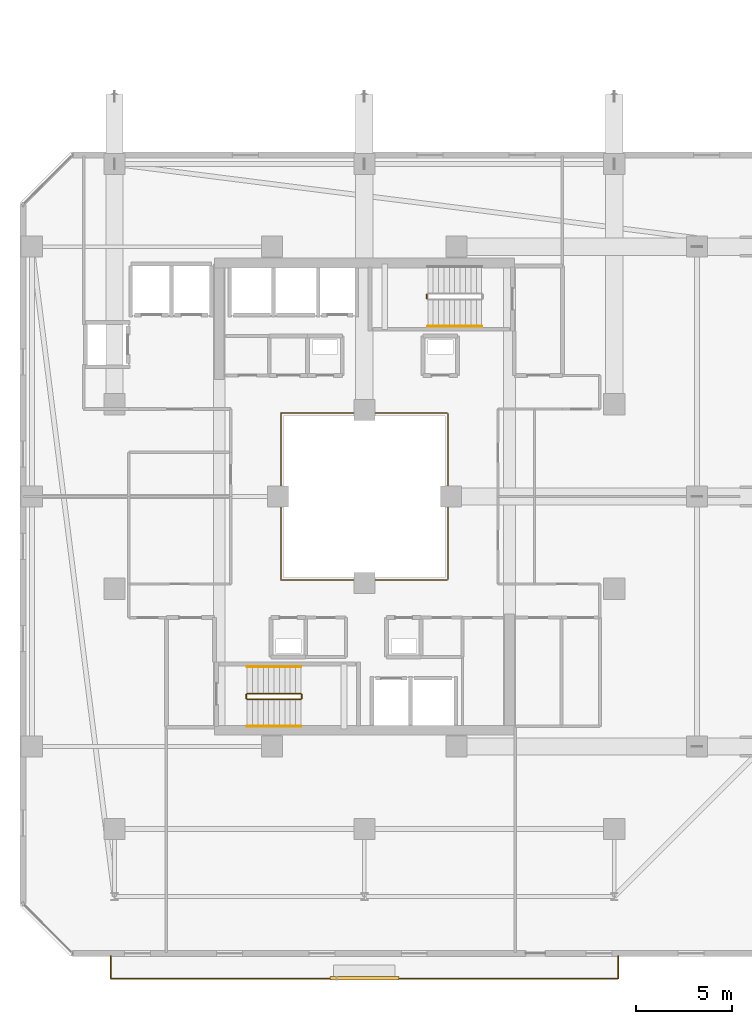
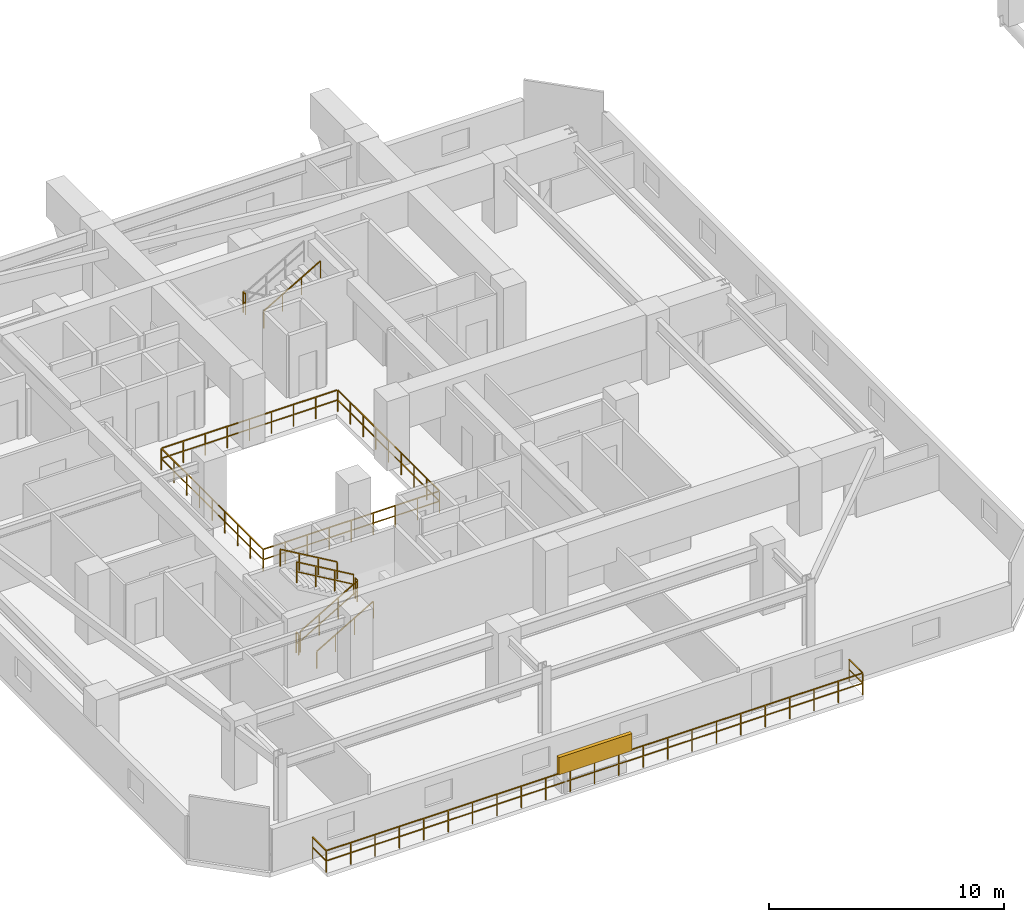
# One storey, part 33 of 36: 10 railings, 1 shading device.
"""IFC4 building model written with IfcOpenShell, lengths in metres."""

from ifc_helpers import new_model, si_unit, direction, frame, origin, origin_2d, place, context, subcontext, project, spatial, rectangle, extrude, material, type_object, element, save


model = new_model("IFC4")

# Units and contexts
model_context = context("Model", 3, precision=1e-05, world=origin(), true_north=direction((0.0, 1.0)))
body_context = subcontext(model_context, "Body", "Model", "MODEL_VIEW")
ifc_project = project(units=[si_unit("LENGTHUNIT", "METRE"), si_unit("AREAUNIT", "SQUARE_METRE"), si_unit("VOLUMEUNIT", "CUBIC_METRE"), si_unit("PLANEANGLEUNIT", "RADIAN"), si_unit("MASSUNIT", "GRAM", prefix="KILO")], contexts=[model_context])

# Site, building, storey
site_placement = place(None, origin())
site = spatial("IfcSite", under=ifc_project, at=site_placement, CompositionType="ELEMENT")
building_placement = place(site_placement, origin())
building = spatial("IfcBuilding", under=site, at=building_placement, Name="Thornwick Lancets Civic Towers", CompositionType="ELEMENT")
storey_placement = place(building_placement, frame((0.0, 0.0, 170.699951171875)))
storey = spatial("IfcBuildingStorey", under=building, at=storey_placement, Name="L45", CompositionType="ELEMENT", Elevation=170.699951171875)

# Railings
ifc_material_1 = material(Name="Laminated glass and bronze steel S355", Category="steel")
railing_type_1 = type_object("IfcRailingType", Name="RAIL_ATRIUM_GUARD", PredefinedType="BALUSTRADE", material=ifc_material_1)
railing_1_placement = place(storey_placement, frame((21.159912109375, 22.659912109375, 0.0)))
element("IfcRailing", 1, at=railing_1_placement, inside=storey, type_object=railing_type_1, Name="L45 Tower A Central Atrium Guard Balustrade", PredefinedType="BALUSTRADE", context=body_context, shape_type="SweptSolid", body=[
    extrude(rectangle(XDim=0.048095703125, YDim=0.048095703125, at=origin_2d()), frame((0.0, 0.0, 1.1259765625), z_axis=(1.0, 0.0, 0.0), x_axis=(0.0, 1.0, 0.0)), (0.0, 0.0, 1.0), 8.64892578125),
    extrude(rectangle(XDim=0.0419921875, YDim=0.0419921875, at=origin_2d()), frame((0.03759765625, 0.0, 0.597900390625), z_axis=(1.0, 0.0, 0.0), x_axis=(0.0, 1.0, 0.0)), (0.0, 0.0, 1.0), 1.010009765625),
    extrude(rectangle(XDim=0.0419921875, YDim=0.0419921875, at=origin_2d()), frame((1.12255859375, 0.0, 0.597900390625), z_axis=(1.0, 0.0, 0.0), x_axis=(0.0, 1.0, 0.0)), (0.0, 0.0, 1.0), 1.010009765625),
    extrude(rectangle(XDim=0.0419921875, YDim=0.0419921875, at=origin_2d()), frame((2.20751953125, 0.0, 0.597900390625), z_axis=(1.0, 0.0, 0.0), x_axis=(0.0, 1.0, 0.0)), (0.0, 0.0, 1.0), 1.010009765625),
    extrude(rectangle(XDim=0.0419921875, YDim=0.0419921875, at=origin_2d()), frame((3.29248046875, 0.0, 0.597900390625), z_axis=(1.0, 0.0, 0.0), x_axis=(0.0, 1.0, 0.0)), (0.0, 0.0, 1.0), 1.010009765625),
    extrude(rectangle(XDim=0.0419921875, YDim=0.0419921875, at=origin_2d()), frame((4.377685546875, 0.0, 0.597900390625), z_axis=(1.0, 0.0, 0.0), x_axis=(0.0, 1.0, 0.0)), (0.0, 0.0, 1.0), 1.010009765625),
    extrude(rectangle(XDim=0.0419921875, YDim=0.0419921875, at=origin_2d()), frame((5.462646484375, 0.0, 0.597900390625), z_axis=(1.0, 0.0, 0.0), x_axis=(0.0, 1.0, 0.0)), (0.0, 0.0, 1.0), 1.010009765625),
    extrude(rectangle(XDim=0.0419921875, YDim=0.0419921875, at=origin_2d()), frame((6.547607421875, 0.0, 0.597900390625), z_axis=(1.0, 0.0, 0.0), x_axis=(0.0, 1.0, 0.0)), (0.0, 0.0, 1.0), 1.010009765625),
    extrude(rectangle(XDim=0.0419921875, YDim=0.0419921875, at=origin_2d()), frame((7.632568359375, 0.0, 0.597900390625), z_axis=(1.0, 0.0, 0.0), x_axis=(0.0, 1.0, 0.0)), (0.0, 0.0, 1.0), 1.010009765625),
    extrude(rectangle(XDim=0.048095703125, YDim=0.048095703125, at=origin_2d()), frame((8.68017578125, 0.03125, 1.1259765625), z_axis=(0.0, 1.0, 0.0), x_axis=(-1.0, 0.0, 0.0)), (0.0, 0.0, 1.0), 8.61767578125),
    extrude(rectangle(XDim=0.0419921875, YDim=0.0419921875, at=origin_2d()), frame((8.68017578125, 0.03759765625, 0.597900390625), z_axis=(0.0, 1.0, 0.0), x_axis=(-1.0, 0.0, 0.0)), (0.0, 0.0, 1.0), 1.010009765625),
    extrude(rectangle(XDim=0.0419921875, YDim=0.0419921875, at=origin_2d()), frame((8.68017578125, 1.12255859375, 0.597900390625), z_axis=(0.0, 1.0, 0.0), x_axis=(-1.0, 0.0, 0.0)), (0.0, 0.0, 1.0), 1.010009765625),
    extrude(rectangle(XDim=0.0419921875, YDim=0.0419921875, at=origin_2d()), frame((8.68017578125, 2.20751953125, 0.597900390625), z_axis=(0.0, 1.0, 0.0), x_axis=(-1.0, 0.0, 0.0)), (0.0, 0.0, 1.0), 1.010009765625),
    extrude(rectangle(XDim=0.0419921875, YDim=0.0419921875, at=origin_2d()), frame((8.68017578125, 3.29248046875, 0.597900390625), z_axis=(0.0, 1.0, 0.0), x_axis=(-1.0, 0.0, 0.0)), (0.0, 0.0, 1.0), 1.010009765625),
    extrude(rectangle(XDim=0.0419921875, YDim=0.0419921875, at=origin_2d()), frame((8.68017578125, 4.377685546875, 0.597900390625), z_axis=(0.0, 1.0, 0.0), x_axis=(-1.0, 0.0, 0.0)), (0.0, 0.0, 1.0), 1.010009765625),
    extrude(rectangle(XDim=0.0419921875, YDim=0.0419921875, at=origin_2d()), frame((8.68017578125, 5.462646484375, 0.597900390625), z_axis=(0.0, 1.0, 0.0), x_axis=(-1.0, 0.0, 0.0)), (0.0, 0.0, 1.0), 1.010009765625),
    extrude(rectangle(XDim=0.0419921875, YDim=0.0419921875, at=origin_2d()), frame((8.68017578125, 6.547607421875, 0.597900390625), z_axis=(0.0, 1.0, 0.0), x_axis=(-1.0, 0.0, 0.0)), (0.0, 0.0, 1.0), 1.010009765625),
    extrude(rectangle(XDim=0.0419921875, YDim=0.0419921875, at=origin_2d()), frame((8.68017578125, 7.632568359375, 0.597900390625), z_axis=(0.0, 1.0, 0.0), x_axis=(-1.0, 0.0, 0.0)), (0.0, 0.0, 1.0), 1.010009765625),
    extrude(rectangle(XDim=0.048095703125, YDim=0.048095703125, at=origin_2d()), frame((8.64892578125, 8.68017578125, 1.1259765625), z_axis=(-1.0, 0.0, 0.0), x_axis=(0.0, -1.0, 0.0)), (0.0, 0.0, 1.0), 8.61767578125),
    extrude(rectangle(XDim=0.0419921875, YDim=0.0419921875, at=origin_2d()), frame((8.642578125, 8.68017578125, 0.597900390625), z_axis=(-1.0, 0.0, 0.0), x_axis=(0.0, -1.0, 0.0)), (0.0, 0.0, 1.0), 1.010009765625),
    extrude(rectangle(XDim=0.0419921875, YDim=0.0419921875, at=origin_2d()), frame((7.5576171875, 8.68017578125, 0.597900390625), z_axis=(-1.0, 0.0, 0.0), x_axis=(0.0, -1.0, 0.0)), (0.0, 0.0, 1.0), 1.010009765625),
    extrude(rectangle(XDim=0.0419921875, YDim=0.0419921875, at=origin_2d()), frame((6.47265625, 8.68017578125, 0.597900390625), z_axis=(-1.0, 0.0, 0.0), x_axis=(0.0, -1.0, 0.0)), (0.0, 0.0, 1.0), 1.010009765625),
    extrude(rectangle(XDim=0.0419921875, YDim=0.0419921875, at=origin_2d()), frame((5.3876953125, 8.68017578125, 0.597900390625), z_axis=(-1.0, 0.0, 0.0), x_axis=(0.0, -1.0, 0.0)), (0.0, 0.0, 1.0), 1.010009765625),
    extrude(rectangle(XDim=0.0419921875, YDim=0.0419921875, at=origin_2d()), frame((4.302490234375, 8.68017578125, 0.597900390625), z_axis=(-1.0, 0.0, 0.0), x_axis=(0.0, -1.0, 0.0)), (0.0, 0.0, 1.0), 1.010009765625),
    extrude(rectangle(XDim=0.0419921875, YDim=0.0419921875, at=origin_2d()), frame((3.217529296875, 8.68017578125, 0.597900390625), z_axis=(-1.0, 0.0, 0.0), x_axis=(0.0, -1.0, 0.0)), (0.0, 0.0, 1.0), 1.010009765625),
    extrude(rectangle(XDim=0.0419921875, YDim=0.0419921875, at=origin_2d()), frame((2.132568359375, 8.68017578125, 0.597900390625), z_axis=(-1.0, 0.0, 0.0), x_axis=(0.0, -1.0, 0.0)), (0.0, 0.0, 1.0), 1.010009765625),
    extrude(rectangle(XDim=0.0419921875, YDim=0.0419921875, at=origin_2d()), frame((1.047607421875, 8.68017578125, 0.597900390625), z_axis=(-1.0, 0.0, 0.0), x_axis=(0.0, -1.0, 0.0)), (0.0, 0.0, 1.0), 1.010009765625),
    extrude(rectangle(XDim=0.048095703125, YDim=0.048095703125, at=origin_2d()), frame((0.0, 8.64892578125, 1.1259765625), z_axis=(0.0, -1.0, 0.0), x_axis=(1.0, 0.0, 0.0)), (0.0, 0.0, 1.0), 8.64892578125),
    extrude(rectangle(XDim=0.0419921875, YDim=0.0419921875, at=origin_2d()), frame((0.0, 8.642578125, 0.597900390625), z_axis=(0.0, -1.0, 0.0), x_axis=(1.0, 0.0, 0.0)), (0.0, 0.0, 1.0), 1.010009765625),
    extrude(rectangle(XDim=0.0419921875, YDim=0.0419921875, at=origin_2d()), frame((0.0, 7.5576171875, 0.597900390625), z_axis=(0.0, -1.0, 0.0), x_axis=(1.0, 0.0, 0.0)), (0.0, 0.0, 1.0), 1.010009765625),
    extrude(rectangle(XDim=0.0419921875, YDim=0.0419921875, at=origin_2d()), frame((0.0, 6.47265625, 0.597900390625), z_axis=(0.0, -1.0, 0.0), x_axis=(1.0, 0.0, 0.0)), (0.0, 0.0, 1.0), 1.010009765625),
    extrude(rectangle(XDim=0.0419921875, YDim=0.0419921875, at=origin_2d()), frame((0.0, 5.3876953125, 0.597900390625), z_axis=(0.0, -1.0, 0.0), x_axis=(1.0, 0.0, 0.0)), (0.0, 0.0, 1.0), 1.010009765625),
    extrude(rectangle(XDim=0.0419921875, YDim=0.0419921875, at=origin_2d()), frame((0.0, 4.302490234375, 0.597900390625), z_axis=(0.0, -1.0, 0.0), x_axis=(1.0, 0.0, 0.0)), (0.0, 0.0, 1.0), 1.010009765625),
    extrude(rectangle(XDim=0.0419921875, YDim=0.0419921875, at=origin_2d()), frame((0.0, 3.217529296875, 0.597900390625), z_axis=(0.0, -1.0, 0.0), x_axis=(1.0, 0.0, 0.0)), (0.0, 0.0, 1.0), 1.010009765625),
    extrude(rectangle(XDim=0.0419921875, YDim=0.0419921875, at=origin_2d()), frame((0.0, 2.132568359375, 0.597900390625), z_axis=(0.0, -1.0, 0.0), x_axis=(1.0, 0.0, 0.0)), (0.0, 0.0, 1.0), 1.010009765625),
    extrude(rectangle(XDim=0.0419921875, YDim=0.0419921875, at=origin_2d()), frame((0.0, 1.047607421875, 0.597900390625), z_axis=(0.0, -1.0, 0.0), x_axis=(1.0, 0.0, 0.0)), (0.0, 0.0, 1.0), 1.010009765625),
    extrude(rectangle(XDim=0.0419921875, YDim=0.0419921875, at=origin_2d()), origin(), (0.0, 0.0, 1.0), 1.095703125),
    extrude(rectangle(XDim=0.0419921875, YDim=0.0419921875, at=origin_2d()), frame((1.0849609375, 0.0, 0.0)), (0.0, 0.0, 1.0), 1.095703125),
    extrude(rectangle(XDim=0.0419921875, YDim=0.0419921875, at=origin_2d()), frame((2.169921875, 0.0, 0.0)), (0.0, 0.0, 1.0), 1.095703125),
    extrude(rectangle(XDim=0.0419921875, YDim=0.0419921875, at=origin_2d()), frame((3.255126953125, 0.0, 0.0)), (0.0, 0.0, 1.0), 1.095703125),
    extrude(rectangle(XDim=0.0419921875, YDim=0.0419921875, at=origin_2d()), frame((4.340087890625, 0.0, 0.0)), (0.0, 0.0, 1.0), 1.095703125),
    extrude(rectangle(XDim=0.0419921875, YDim=0.0419921875, at=origin_2d()), frame((5.425048828125, 0.0, 0.0)), (0.0, 0.0, 1.0), 1.095703125),
    extrude(rectangle(XDim=0.0419921875, YDim=0.0419921875, at=origin_2d()), frame((6.51025390625, 0.0, 0.0)), (0.0, 0.0, 1.0), 1.095703125),
    extrude(rectangle(XDim=0.0419921875, YDim=0.0419921875, at=origin_2d()), frame((7.59521484375, 0.0, 0.0)), (0.0, 0.0, 1.0), 1.095703125),
    extrude(rectangle(XDim=0.0419921875, YDim=0.0419921875, at=origin_2d()), frame((8.68017578125, 0.0, 0.0)), (0.0, 0.0, 1.0), 1.095703125),
    extrude(rectangle(XDim=0.0419921875, YDim=0.0419921875, at=origin_2d()), frame((8.68017578125, 1.0849609375, 0.0)), (0.0, 0.0, 1.0), 1.095703125),
    extrude(rectangle(XDim=0.0419921875, YDim=0.0419921875, at=origin_2d()), frame((8.68017578125, 2.169921875, 0.0)), (0.0, 0.0, 1.0), 1.095703125),
    extrude(rectangle(XDim=0.0419921875, YDim=0.0419921875, at=origin_2d()), frame((8.68017578125, 3.255126953125, 0.0)), (0.0, 0.0, 1.0), 1.095703125),
    extrude(rectangle(XDim=0.0419921875, YDim=0.0419921875, at=origin_2d()), frame((8.68017578125, 4.340087890625, 0.0)), (0.0, 0.0, 1.0), 1.095703125),
    extrude(rectangle(XDim=0.0419921875, YDim=0.0419921875, at=origin_2d()), frame((8.68017578125, 5.425048828125, 0.0)), (0.0, 0.0, 1.0), 1.095703125),
    extrude(rectangle(XDim=0.0419921875, YDim=0.0419921875, at=origin_2d()), frame((8.68017578125, 6.51025390625, 0.0)), (0.0, 0.0, 1.0), 1.095703125),
    extrude(rectangle(XDim=0.0419921875, YDim=0.0419921875, at=origin_2d()), frame((8.68017578125, 7.59521484375, 0.0)), (0.0, 0.0, 1.0), 1.095703125),
    extrude(rectangle(XDim=0.0419921875, YDim=0.0419921875, at=origin_2d()), frame((8.68017578125, 8.68017578125, 0.0)), (0.0, 0.0, 1.0), 1.095703125),
    extrude(rectangle(XDim=0.0419921875, YDim=0.0419921875, at=origin_2d()), frame((7.59521484375, 8.68017578125, 0.0)), (0.0, 0.0, 1.0), 1.095703125),
    extrude(rectangle(XDim=0.0419921875, YDim=0.0419921875, at=origin_2d()), frame((6.51025390625, 8.68017578125, 0.0)), (0.0, 0.0, 1.0), 1.095703125),
    extrude(rectangle(XDim=0.0419921875, YDim=0.0419921875, at=origin_2d()), frame((5.425048828125, 8.68017578125, 0.0)), (0.0, 0.0, 1.0), 1.095703125),
    extrude(rectangle(XDim=0.0419921875, YDim=0.0419921875, at=origin_2d()), frame((4.340087890625, 8.68017578125, 0.0)), (0.0, 0.0, 1.0), 1.095703125),
    extrude(rectangle(XDim=0.0419921875, YDim=0.0419921875, at=origin_2d()), frame((3.255126953125, 8.68017578125, 0.0)), (0.0, 0.0, 1.0), 1.095703125),
    extrude(rectangle(XDim=0.0419921875, YDim=0.0419921875, at=origin_2d()), frame((2.169921875, 8.68017578125, 0.0)), (0.0, 0.0, 1.0), 1.095703125),
    extrude(rectangle(XDim=0.0419921875, YDim=0.0419921875, at=origin_2d()), frame((1.0849609375, 8.68017578125, 0.0)), (0.0, 0.0, 1.0), 1.095703125),
    extrude(rectangle(XDim=0.0419921875, YDim=0.0419921875, at=origin_2d()), frame((0.0, 8.68017578125, 0.0)), (0.0, 0.0, 1.0), 1.095703125),
    extrude(rectangle(XDim=0.0419921875, YDim=0.0419921875, at=origin_2d()), frame((0.0, 7.59521484375, 0.0)), (0.0, 0.0, 1.0), 1.095703125),
    extrude(rectangle(XDim=0.0419921875, YDim=0.0419921875, at=origin_2d()), frame((0.0, 6.51025390625, 0.0)), (0.0, 0.0, 1.0), 1.095703125),
    extrude(rectangle(XDim=0.0419921875, YDim=0.0419921875, at=origin_2d()), frame((0.0, 5.425048828125, 0.0)), (0.0, 0.0, 1.0), 1.095703125),
    extrude(rectangle(XDim=0.0419921875, YDim=0.0419921875, at=origin_2d()), frame((0.0, 4.340087890625, 0.0)), (0.0, 0.0, 1.0), 1.095703125),
    extrude(rectangle(XDim=0.0419921875, YDim=0.0419921875, at=origin_2d()), frame((0.0, 3.255126953125, 0.0)), (0.0, 0.0, 1.0), 1.095703125),
    extrude(rectangle(XDim=0.0419921875, YDim=0.0419921875, at=origin_2d()), frame((0.0, 2.169921875, 0.0)), (0.0, 0.0, 1.0), 1.095703125),
    extrude(rectangle(XDim=0.0419921875, YDim=0.0419921875, at=origin_2d()), frame((0.0, 1.0849609375, 0.0)), (0.0, 0.0, 1.0), 1.095703125),
])
ifc_material_2 = material(Name="Brushed stainless steel S355", Category="steel")
railing_type_2 = type_object("IfcRailingType", Name="RAIL_HANDRAIL", PredefinedType="HANDRAIL", material=ifc_material_2)
railing_2_placement = place(storey_placement, frame((19.39990234375, 15.050048828125, 0.16357421875)))
element("IfcRailing", 2, at=railing_2_placement, inside=storey, type_object=railing_type_2, Name="L45 ST-A1 stair handrail 1", PredefinedType="HANDRAIL", context=body_context, shape_type="SweptSolid", body=[
    extrude(rectangle(XDim=0.048095703125, YDim=0.048095703125, at=origin_2d()), frame((0.0, 0.0, 0.8857421875), z_axis=(0.863360870873, 0.0, 0.504586966384), x_axis=(0.0, 1.0, 0.0)), (0.0, 0.0, 1.0), 3.2431640625),
    extrude(rectangle(XDim=0.0419921875, YDim=0.0419921875, at=origin_2d()), origin(), (0.0, 0.0, 1.0), 0.855712890625),
    extrude(rectangle(XDim=0.0419921875, YDim=0.0419921875, at=origin_2d()), frame((0.933349609375, 0.0, 0.54541015625)), (0.0, 0.0, 1.0), 0.855712890625),
    extrude(rectangle(XDim=0.0419921875, YDim=0.0419921875, at=origin_2d()), frame((1.86669921875, 0.0, 1.091064453125)), (0.0, 0.0, 1.0), 0.855712890625),
    extrude(rectangle(XDim=0.0419921875, YDim=0.0419921875, at=origin_2d()), frame((2.800048828125, 0.0, 1.636474609375)), (0.0, 0.0, 1.0), 0.855712890625),
])
railing_3_placement = place(storey_placement, frame((22.199951171875, 18.14990234375, 1.963623046875)))
element("IfcRailing", 3, at=railing_3_placement, inside=storey, type_object=railing_type_2, Name="L45 ST-A1 stair handrail 2", PredefinedType="HANDRAIL", context=body_context, shape_type="SweptSolid", body=[
    extrude(rectangle(XDim=0.048095703125, YDim=0.048095703125, at=origin_2d()), frame((0.0, 0.0, 0.8857421875), z_axis=(-0.863360870873, 0.0, 0.504586966384), x_axis=(0.0, -1.0, 0.0)), (0.0, 0.0, 1.0), 3.2431640625),
    extrude(rectangle(XDim=0.0419921875, YDim=0.0419921875, at=origin_2d()), origin(), (0.0, 0.0, 1.0), 0.855712890625),
    extrude(rectangle(XDim=0.0419921875, YDim=0.0419921875, at=origin_2d()), frame((-0.933349609375, 0.0, 0.54541015625)), (0.0, 0.0, 1.0), 0.855712890625),
    extrude(rectangle(XDim=0.0419921875, YDim=0.0419921875, at=origin_2d()), frame((-1.86669921875, 0.0, 1.091064453125)), (0.0, 0.0, 1.0), 0.855712890625),
    extrude(rectangle(XDim=0.0419921875, YDim=0.0419921875, at=origin_2d()), frame((-2.800048828125, 0.0, 1.636474609375)), (0.0, 0.0, 1.0), 0.855712890625),
])
railing_4_placement = place(storey_placement, frame((28.800048828125, 35.85009765625, 1.963623046875)))
element("IfcRailing", 4, at=railing_4_placement, inside=storey, type_object=railing_type_2, Name="L45 ST-A2 stair handrail 2", PredefinedType="HANDRAIL", context=body_context, shape_type="SweptSolid", body=[
    extrude(rectangle(XDim=0.048095703125, YDim=0.048095703125, at=origin_2d()), frame((0.0, 0.0, 0.8857421875), z_axis=(0.863360870873, 0.0, 0.504586966384), x_axis=(0.0, 1.0, 0.0)), (0.0, 0.0, 1.0), 3.2431640625),
    extrude(rectangle(XDim=0.0419921875, YDim=0.0419921875, at=origin_2d()), origin(), (0.0, 0.0, 1.0), 0.855712890625),
    extrude(rectangle(XDim=0.0419921875, YDim=0.0419921875, at=origin_2d()), frame((0.933349609375, 0.0, 0.54541015625)), (0.0, 0.0, 1.0), 0.855712890625),
    extrude(rectangle(XDim=0.0419921875, YDim=0.0419921875, at=origin_2d()), frame((1.86669921875, 0.0, 1.091064453125)), (0.0, 0.0, 1.0), 0.855712890625),
    extrude(rectangle(XDim=0.0419921875, YDim=0.0419921875, at=origin_2d()), frame((2.800048828125, 0.0, 1.636474609375)), (0.0, 0.0, 1.0), 0.855712890625),
])
ifc_material_3 = material(Name="Steel S355JR", Category="steel")
railing_type_3 = type_object("IfcRailingType", Name="RAIL_STAIR_GUARD", PredefinedType="GUARDRAIL", material=ifc_material_3)
railing_5_placement = place(storey_placement, frame((19.39990234375, 16.449951171875, 0.16357421875)))
element("IfcRailing", 5, at=railing_5_placement, inside=storey, type_object=railing_type_3, Name="L45 ST-A1 stair guard 1", PredefinedType="GUARDRAIL", context=body_context, shape_type="SweptSolid", body=[
    extrude(rectangle(XDim=0.048095703125, YDim=0.048095703125, at=origin_2d()), frame((0.0, 0.0, 1.076171875), z_axis=(0.863360870873, 0.0, 0.504586966384), x_axis=(0.0, 1.0, 0.0)), (0.0, 0.0, 1.0), 3.2431640625),
    extrude(rectangle(XDim=0.0419921875, YDim=0.0419921875, at=origin_2d()), frame((0.032470703125, 0.0, 0.591064453125), z_axis=(0.863360870873, 0.0, 0.504586966384), x_axis=(0.0, 1.0, 0.0)), (0.0, 0.0, 1.0), 1.006103515625),
    extrude(rectangle(XDim=0.0419921875, YDim=0.0419921875, at=origin_2d()), frame((0.9658203125, 0.0, 1.136474609375), z_axis=(0.863360870873, 0.0, 0.504586966384), x_axis=(0.0, 1.0, 0.0)), (0.0, 0.0, 1.0), 1.006103515625),
    extrude(rectangle(XDim=0.0419921875, YDim=0.0419921875, at=origin_2d()), frame((1.899169921875, 0.0, 1.681884765625), z_axis=(0.863360870873, 0.0, 0.504586966384), x_axis=(0.0, 1.0, 0.0)), (0.0, 0.0, 1.0), 1.006103515625),
    extrude(rectangle(XDim=0.0419921875, YDim=0.0419921875, at=origin_2d()), origin(), (0.0, 0.0, 1.0), 1.0458984375),
    extrude(rectangle(XDim=0.0419921875, YDim=0.0419921875, at=origin_2d()), frame((0.933349609375, 0.0, 0.54541015625)), (0.0, 0.0, 1.0), 1.0458984375),
    extrude(rectangle(XDim=0.0419921875, YDim=0.0419921875, at=origin_2d()), frame((1.86669921875, 0.0, 1.091064453125)), (0.0, 0.0, 1.0), 1.0458984375),
    extrude(rectangle(XDim=0.0419921875, YDim=0.0419921875, at=origin_2d()), frame((2.800048828125, 0.0, 1.636474609375)), (0.0, 0.0, 1.0), 1.0458984375),
])
railing_6_placement = place(storey_placement, frame((22.25, 16.5, 1.800048828125)))
element("IfcRailing", 6, at=railing_6_placement, inside=storey, type_object=railing_type_3, Name="L45 ST-A1 stair guard 2", PredefinedType="GUARDRAIL", context=body_context, shape_type="SweptSolid", body=[
    extrude(rectangle(XDim=0.048095703125, YDim=0.048095703125, at=origin_2d()), frame((0.0, 0.0, 1.076171875), z_axis=(0.0, 1.0, 0.0), x_axis=(-1.0, 0.0, 0.0)), (0.0, 0.0, 1.0), 0.199951171875),
    extrude(rectangle(XDim=0.0419921875, YDim=0.0419921875, at=origin_2d()), frame((0.0, 0.03759765625, 0.572021484375), z_axis=(0.0, 1.0, 0.0), x_axis=(-1.0, 0.0, 0.0)), (0.0, 0.0, 1.0), 0.125),
    extrude(rectangle(XDim=0.0419921875, YDim=0.0419921875, at=origin_2d()), origin(), (0.0, 0.0, 1.0), 1.0458984375),
    extrude(rectangle(XDim=0.0419921875, YDim=0.0419921875, at=origin_2d()), frame((0.0, 0.199951171875, 0.0)), (0.0, 0.0, 1.0), 1.0458984375),
])
railing_7_placement = place(storey_placement, frame((22.199951171875, 16.75, 1.963623046875)))
element("IfcRailing", 7, at=railing_7_placement, inside=storey, type_object=railing_type_3, Name="L45 ST-A1 stair guard 3", PredefinedType="GUARDRAIL", context=body_context, shape_type="SweptSolid", body=[
    extrude(rectangle(XDim=0.048095703125, YDim=0.048095703125, at=origin_2d()), frame((0.0, 0.0, 1.076171875), z_axis=(-0.863360870873, 0.0, 0.504586966384), x_axis=(0.0, -1.0, 0.0)), (0.0, 0.0, 1.0), 3.2431640625),
    extrude(rectangle(XDim=0.0419921875, YDim=0.0419921875, at=origin_2d()), frame((-0.032470703125, 0.0, 0.591064453125), z_axis=(-0.863360870873, 0.0, 0.504586966384), x_axis=(0.0, -1.0, 0.0)), (0.0, 0.0, 1.0), 1.006103515625),
    extrude(rectangle(XDim=0.0419921875, YDim=0.0419921875, at=origin_2d()), frame((-0.9658203125, 0.0, 1.136474609375), z_axis=(-0.863360870873, 0.0, 0.504586966384), x_axis=(0.0, -1.0, 0.0)), (0.0, 0.0, 1.0), 1.006103515625),
    extrude(rectangle(XDim=0.0419921875, YDim=0.0419921875, at=origin_2d()), frame((-1.899169921875, 0.0, 1.681884765625), z_axis=(-0.863360870873, 0.0, 0.504586966384), x_axis=(0.0, -1.0, 0.0)), (0.0, 0.0, 1.0), 1.006103515625),
    extrude(rectangle(XDim=0.0419921875, YDim=0.0419921875, at=origin_2d()), origin(), (0.0, 0.0, 1.0), 1.0458984375),
    extrude(rectangle(XDim=0.0419921875, YDim=0.0419921875, at=origin_2d()), frame((-0.933349609375, 0.0, 0.54541015625)), (0.0, 0.0, 1.0), 1.0458984375),
    extrude(rectangle(XDim=0.0419921875, YDim=0.0419921875, at=origin_2d()), frame((-1.86669921875, 0.0, 1.091064453125)), (0.0, 0.0, 1.0), 1.0458984375),
    extrude(rectangle(XDim=0.0419921875, YDim=0.0419921875, at=origin_2d()), frame((-2.800048828125, 0.0, 1.636474609375)), (0.0, 0.0, 1.0), 1.0458984375),
])
railing_8_placement = place(storey_placement, frame((19.35009765625, 16.5, 0.0)))
element("IfcRailing", 8, at=railing_8_placement, inside=storey, type_object=railing_type_3, Name="L45 ST-A1 stair guard 4", PredefinedType="GUARDRAIL", context=body_context, shape_type="SweptSolid", body=[
    extrude(rectangle(XDim=0.048095703125, YDim=0.048095703125, at=origin_2d()), frame((0.0, 0.0, 1.076171875), z_axis=(0.0, 1.0, 0.0), x_axis=(-1.0, 0.0, 0.0)), (0.0, 0.0, 1.0), 0.199951171875),
    extrude(rectangle(XDim=0.0419921875, YDim=0.0419921875, at=origin_2d()), frame((0.0, 0.03759765625, 0.572021484375), z_axis=(0.0, 1.0, 0.0), x_axis=(-1.0, 0.0, 0.0)), (0.0, 0.0, 1.0), 0.125),
    extrude(rectangle(XDim=0.0419921875, YDim=0.0419921875, at=origin_2d()), origin(), (0.0, 0.0, 1.0), 1.0458984375),
    extrude(rectangle(XDim=0.0419921875, YDim=0.0419921875, at=origin_2d()), frame((0.0, 0.199951171875, 0.0)), (0.0, 0.0, 1.0), 1.0458984375),
])
railing_9_placement = place(storey_placement, frame((28.75, 37.5, 1.800048828125)))
element("IfcRailing", 9, at=railing_9_placement, inside=storey, type_object=railing_type_3, Name="L45 ST-A2 stair guard 2", PredefinedType="GUARDRAIL", context=body_context, shape_type="SweptSolid", body=[
    extrude(rectangle(XDim=0.048095703125, YDim=0.048095703125, at=origin_2d()), frame((0.0, 0.0, 1.076171875), z_axis=(0.0, -1.0, 0.0), x_axis=(1.0, 0.0, 0.0)), (0.0, 0.0, 1.0), 0.199951171875),
    extrude(rectangle(XDim=0.0419921875, YDim=0.0419921875, at=origin_2d()), frame((0.0, -0.03759765625, 0.572021484375), z_axis=(0.0, -1.0, 0.0), x_axis=(1.0, 0.0, 0.0)), (0.0, 0.0, 1.0), 0.125),
    extrude(rectangle(XDim=0.0419921875, YDim=0.0419921875, at=origin_2d()), origin(), (0.0, 0.0, 1.0), 1.0458984375),
    extrude(rectangle(XDim=0.0419921875, YDim=0.0419921875, at=origin_2d()), frame((0.0, -0.199951171875, 0.0)), (0.0, 0.0, 1.0), 1.0458984375),
])
ifc_material_4 = material(Name="Terracotta-capped laminated glass balustrade S355", Category="masonry")
railing_type_4 = type_object("IfcRailingType", Name="RAIL_TERR_GUARD", PredefinedType="GUARDRAIL", material=ifc_material_4)
railing_10_placement = place(storey_placement, frame((12.300048828125, 3.10009765625, 0.0)))
element("IfcRailing", 10, at=railing_10_placement, inside=storey, type_object=railing_type_4, Name="L45 Tower A Balcony Guard S", PredefinedType="GUARDRAIL", context=body_context, shape_type="SweptSolid", body=[
    extrude(rectangle(XDim=0.048095703125, YDim=0.048095703125, at=origin_2d()), frame((0.0, 0.0, 1.1259765625), z_axis=(0.0, -1.0, 0.0), x_axis=(1.0, 0.0, 0.0)), (0.0, 0.0, 1.0), 1.138916015625),
    extrude(rectangle(XDim=0.0419921875, YDim=0.0419921875, at=origin_2d()), frame((0.0, -0.03759765625, 0.597900390625), z_axis=(0.0, -1.0, 0.0), x_axis=(1.0, 0.0, 0.0)), (0.0, 0.0, 1.0), 1.09521484375),
    extrude(rectangle(XDim=0.048095703125, YDim=0.048095703125, at=origin_2d()), frame((0.03125, -1.170166015625, 1.1259765625), z_axis=(1.0, 0.0, 0.0), x_axis=(0.0, 1.0, 0.0)), (0.0, 0.0, 1.0), 26.33740234375),
    extrude(rectangle(XDim=0.0419921875, YDim=0.0419921875, at=origin_2d()), frame((0.03759765625, -1.170166015625, 0.597900390625), z_axis=(1.0, 0.0, 0.0), x_axis=(0.0, 1.0, 0.0)), (0.0, 0.0, 1.0), 1.125),
    extrude(rectangle(XDim=0.0419921875, YDim=0.0419921875, at=origin_2d()), frame((1.237548828125, -1.170166015625, 0.597900390625), z_axis=(1.0, 0.0, 0.0), x_axis=(0.0, 1.0, 0.0)), (0.0, 0.0, 1.0), 1.125),
    extrude(rectangle(XDim=0.0419921875, YDim=0.0419921875, at=origin_2d()), frame((2.4375, -1.170166015625, 0.597900390625), z_axis=(1.0, 0.0, 0.0), x_axis=(0.0, 1.0, 0.0)), (0.0, 0.0, 1.0), 1.125),
    extrude(rectangle(XDim=0.0419921875, YDim=0.0419921875, at=origin_2d()), frame((3.637451171875, -1.170166015625, 0.597900390625), z_axis=(1.0, 0.0, 0.0), x_axis=(0.0, 1.0, 0.0)), (0.0, 0.0, 1.0), 1.125),
    extrude(rectangle(XDim=0.0419921875, YDim=0.0419921875, at=origin_2d()), frame((4.83740234375, -1.170166015625, 0.597900390625), z_axis=(1.0, 0.0, 0.0), x_axis=(0.0, 1.0, 0.0)), (0.0, 0.0, 1.0), 1.125),
    extrude(rectangle(XDim=0.0419921875, YDim=0.0419921875, at=origin_2d()), frame((6.037353515625, -1.170166015625, 0.597900390625), z_axis=(1.0, 0.0, 0.0), x_axis=(0.0, 1.0, 0.0)), (0.0, 0.0, 1.0), 1.125),
    extrude(rectangle(XDim=0.0419921875, YDim=0.0419921875, at=origin_2d()), frame((7.237548828125, -1.170166015625, 0.597900390625), z_axis=(1.0, 0.0, 0.0), x_axis=(0.0, 1.0, 0.0)), (0.0, 0.0, 1.0), 1.125),
    extrude(rectangle(XDim=0.0419921875, YDim=0.0419921875, at=origin_2d()), frame((8.4375, -1.170166015625, 0.597900390625), z_axis=(1.0, 0.0, 0.0), x_axis=(0.0, 1.0, 0.0)), (0.0, 0.0, 1.0), 1.125),
    extrude(rectangle(XDim=0.0419921875, YDim=0.0419921875, at=origin_2d()), frame((9.637451171875, -1.170166015625, 0.597900390625), z_axis=(1.0, 0.0, 0.0), x_axis=(0.0, 1.0, 0.0)), (0.0, 0.0, 1.0), 1.125),
    extrude(rectangle(XDim=0.0419921875, YDim=0.0419921875, at=origin_2d()), frame((10.83740234375, -1.170166015625, 0.597900390625), z_axis=(1.0, 0.0, 0.0), x_axis=(0.0, 1.0, 0.0)), (0.0, 0.0, 1.0), 1.125),
    extrude(rectangle(XDim=0.0419921875, YDim=0.0419921875, at=origin_2d()), frame((12.037353515625, -1.170166015625, 0.597900390625), z_axis=(1.0, 0.0, 0.0), x_axis=(0.0, 1.0, 0.0)), (0.0, 0.0, 1.0), 1.125),
    extrude(rectangle(XDim=0.0419921875, YDim=0.0419921875, at=origin_2d()), frame((13.237548828125, -1.170166015625, 0.597900390625), z_axis=(1.0, 0.0, 0.0), x_axis=(0.0, 1.0, 0.0)), (0.0, 0.0, 1.0), 1.125),
    extrude(rectangle(XDim=0.0419921875, YDim=0.0419921875, at=origin_2d()), frame((14.4375, -1.170166015625, 0.597900390625), z_axis=(1.0, 0.0, 0.0), x_axis=(0.0, 1.0, 0.0)), (0.0, 0.0, 1.0), 1.125),
    extrude(rectangle(XDim=0.0419921875, YDim=0.0419921875, at=origin_2d()), frame((15.637451171875, -1.170166015625, 0.597900390625), z_axis=(1.0, 0.0, 0.0), x_axis=(0.0, 1.0, 0.0)), (0.0, 0.0, 1.0), 1.125),
    extrude(rectangle(XDim=0.0419921875, YDim=0.0419921875, at=origin_2d()), frame((16.83740234375, -1.170166015625, 0.597900390625), z_axis=(1.0, 0.0, 0.0), x_axis=(0.0, 1.0, 0.0)), (0.0, 0.0, 1.0), 1.125),
    extrude(rectangle(XDim=0.0419921875, YDim=0.0419921875, at=origin_2d()), frame((18.037353515625, -1.170166015625, 0.597900390625), z_axis=(1.0, 0.0, 0.0), x_axis=(0.0, 1.0, 0.0)), (0.0, 0.0, 1.0), 1.125),
    extrude(rectangle(XDim=0.0419921875, YDim=0.0419921875, at=origin_2d()), frame((19.2373046875, -1.170166015625, 0.597900390625), z_axis=(1.0, 0.0, 0.0), x_axis=(0.0, 1.0, 0.0)), (0.0, 0.0, 1.0), 1.125),
    extrude(rectangle(XDim=0.0419921875, YDim=0.0419921875, at=origin_2d()), frame((20.4375, -1.170166015625, 0.597900390625), z_axis=(1.0, 0.0, 0.0), x_axis=(0.0, 1.0, 0.0)), (0.0, 0.0, 1.0), 1.125),
    extrude(rectangle(XDim=0.0419921875, YDim=0.0419921875, at=origin_2d()), frame((21.637451171875, -1.170166015625, 0.597900390625), z_axis=(1.0, 0.0, 0.0), x_axis=(0.0, 1.0, 0.0)), (0.0, 0.0, 1.0), 1.125),
    extrude(rectangle(XDim=0.0419921875, YDim=0.0419921875, at=origin_2d()), frame((22.83740234375, -1.170166015625, 0.597900390625), z_axis=(1.0, 0.0, 0.0), x_axis=(0.0, 1.0, 0.0)), (0.0, 0.0, 1.0), 1.125),
    extrude(rectangle(XDim=0.0419921875, YDim=0.0419921875, at=origin_2d()), frame((24.037353515625, -1.170166015625, 0.597900390625), z_axis=(1.0, 0.0, 0.0), x_axis=(0.0, 1.0, 0.0)), (0.0, 0.0, 1.0), 1.125),
    extrude(rectangle(XDim=0.0419921875, YDim=0.0419921875, at=origin_2d()), frame((25.2373046875, -1.170166015625, 0.597900390625), z_axis=(1.0, 0.0, 0.0), x_axis=(0.0, 1.0, 0.0)), (0.0, 0.0, 1.0), 1.125),
    extrude(rectangle(XDim=0.048095703125, YDim=0.048095703125, at=origin_2d()), frame((26.39990234375, -1.138916015625, 1.1259765625), z_axis=(0.0, 1.0, 0.0), x_axis=(-1.0, 0.0, 0.0)), (0.0, 0.0, 1.0), 1.138916015625),
    extrude(rectangle(XDim=0.0419921875, YDim=0.0419921875, at=origin_2d()), frame((26.39990234375, -1.132568359375, 0.597900390625), z_axis=(0.0, 1.0, 0.0), x_axis=(-1.0, 0.0, 0.0)), (0.0, 0.0, 1.0), 1.09521484375),
    extrude(rectangle(XDim=0.0419921875, YDim=0.0419921875, at=origin_2d()), origin(), (0.0, 0.0, 1.0), 1.095703125),
    extrude(rectangle(XDim=0.0419921875, YDim=0.0419921875, at=origin_2d()), frame((0.0, -1.170166015625, 0.0)), (0.0, 0.0, 1.0), 1.095703125),
    extrude(rectangle(XDim=0.0419921875, YDim=0.0419921875, at=origin_2d()), frame((1.199951171875, -1.170166015625, 0.0)), (0.0, 0.0, 1.0), 1.095703125),
    extrude(rectangle(XDim=0.0419921875, YDim=0.0419921875, at=origin_2d()), frame((2.39990234375, -1.170166015625, 0.0)), (0.0, 0.0, 1.0), 1.095703125),
    extrude(rectangle(XDim=0.0419921875, YDim=0.0419921875, at=origin_2d()), frame((3.60009765625, -1.170166015625, 0.0)), (0.0, 0.0, 1.0), 1.095703125),
    extrude(rectangle(XDim=0.0419921875, YDim=0.0419921875, at=origin_2d()), frame((4.800048828125, -1.170166015625, 0.0)), (0.0, 0.0, 1.0), 1.095703125),
    extrude(rectangle(XDim=0.0419921875, YDim=0.0419921875, at=origin_2d()), frame((6.0, -1.170166015625, 0.0)), (0.0, 0.0, 1.0), 1.095703125),
    extrude(rectangle(XDim=0.0419921875, YDim=0.0419921875, at=origin_2d()), frame((7.199951171875, -1.170166015625, 0.0)), (0.0, 0.0, 1.0), 1.095703125),
    extrude(rectangle(XDim=0.0419921875, YDim=0.0419921875, at=origin_2d()), frame((8.39990234375, -1.170166015625, 0.0)), (0.0, 0.0, 1.0), 1.095703125),
    extrude(rectangle(XDim=0.0419921875, YDim=0.0419921875, at=origin_2d()), frame((9.599853515625, -1.170166015625, 0.0)), (0.0, 0.0, 1.0), 1.095703125),
    extrude(rectangle(XDim=0.0419921875, YDim=0.0419921875, at=origin_2d()), frame((10.800048828125, -1.170166015625, 0.0)), (0.0, 0.0, 1.0), 1.095703125),
    extrude(rectangle(XDim=0.0419921875, YDim=0.0419921875, at=origin_2d()), frame((12.0, -1.170166015625, 0.0)), (0.0, 0.0, 1.0), 1.095703125),
    extrude(rectangle(XDim=0.0419921875, YDim=0.0419921875, at=origin_2d()), frame((13.199951171875, -1.170166015625, 0.0)), (0.0, 0.0, 1.0), 1.095703125),
    extrude(rectangle(XDim=0.0419921875, YDim=0.0419921875, at=origin_2d()), frame((14.39990234375, -1.170166015625, 0.0)), (0.0, 0.0, 1.0), 1.095703125),
    extrude(rectangle(XDim=0.0419921875, YDim=0.0419921875, at=origin_2d()), frame((15.599853515625, -1.170166015625, 0.0)), (0.0, 0.0, 1.0), 1.095703125),
    extrude(rectangle(XDim=0.0419921875, YDim=0.0419921875, at=origin_2d()), frame((16.800048828125, -1.170166015625, 0.0)), (0.0, 0.0, 1.0), 1.095703125),
    extrude(rectangle(XDim=0.0419921875, YDim=0.0419921875, at=origin_2d()), frame((18.0, -1.170166015625, 0.0)), (0.0, 0.0, 1.0), 1.095703125),
    extrude(rectangle(XDim=0.0419921875, YDim=0.0419921875, at=origin_2d()), frame((19.199951171875, -1.170166015625, 0.0)), (0.0, 0.0, 1.0), 1.095703125),
    extrude(rectangle(XDim=0.0419921875, YDim=0.0419921875, at=origin_2d()), frame((20.39990234375, -1.170166015625, 0.0)), (0.0, 0.0, 1.0), 1.095703125),
    extrude(rectangle(XDim=0.0419921875, YDim=0.0419921875, at=origin_2d()), frame((21.599853515625, -1.170166015625, 0.0)), (0.0, 0.0, 1.0), 1.095703125),
    extrude(rectangle(XDim=0.0419921875, YDim=0.0419921875, at=origin_2d()), frame((22.7998046875, -1.170166015625, 0.0)), (0.0, 0.0, 1.0), 1.095703125),
    extrude(rectangle(XDim=0.0419921875, YDim=0.0419921875, at=origin_2d()), frame((24.0, -1.170166015625, 0.0)), (0.0, 0.0, 1.0), 1.095703125),
    extrude(rectangle(XDim=0.0419921875, YDim=0.0419921875, at=origin_2d()), frame((25.199951171875, -1.170166015625, 0.0)), (0.0, 0.0, 1.0), 1.095703125),
    extrude(rectangle(XDim=0.0419921875, YDim=0.0419921875, at=origin_2d()), frame((26.39990234375, -1.170166015625, 0.0)), (0.0, 0.0, 1.0), 1.095703125),
    extrude(rectangle(XDim=0.0419921875, YDim=0.0419921875, at=origin_2d()), frame((26.39990234375, 0.0, 0.0)), (0.0, 0.0, 1.0), 1.095703125),
])

# Shading device
ifc_material_5 = material(Name="Extruded terracotta baguette solar screen", Category="masonry")
shading_device_type = type_object("IfcShadingDeviceType", Name="SHADE_BAGUETTE", PredefinedType="JALOUSIE", material=ifc_material_5)
shading_device_placement = place(storey_placement, frame((25.5, 1.93994140625, 1.1201171875), z_axis=(0.0, 0.0, 1.0), x_axis=(1.0, 0.0, 0.0)))
element("IfcShadingDevice", 11, at=shading_device_placement, inside=storey, type_object=shading_device_type, Name="L45 Tower A Terracotta Baguette Screen S", PredefinedType="JALOUSIE", context=body_context, shape_type="SweptSolid", body=[
    extrude(rectangle(XDim=3.60009765625, YDim=0.179931640625, at=origin_2d()), origin(), (0.0, 0.0, 1.0), 0.89990234375),
])

save(model, "model.ifc")
